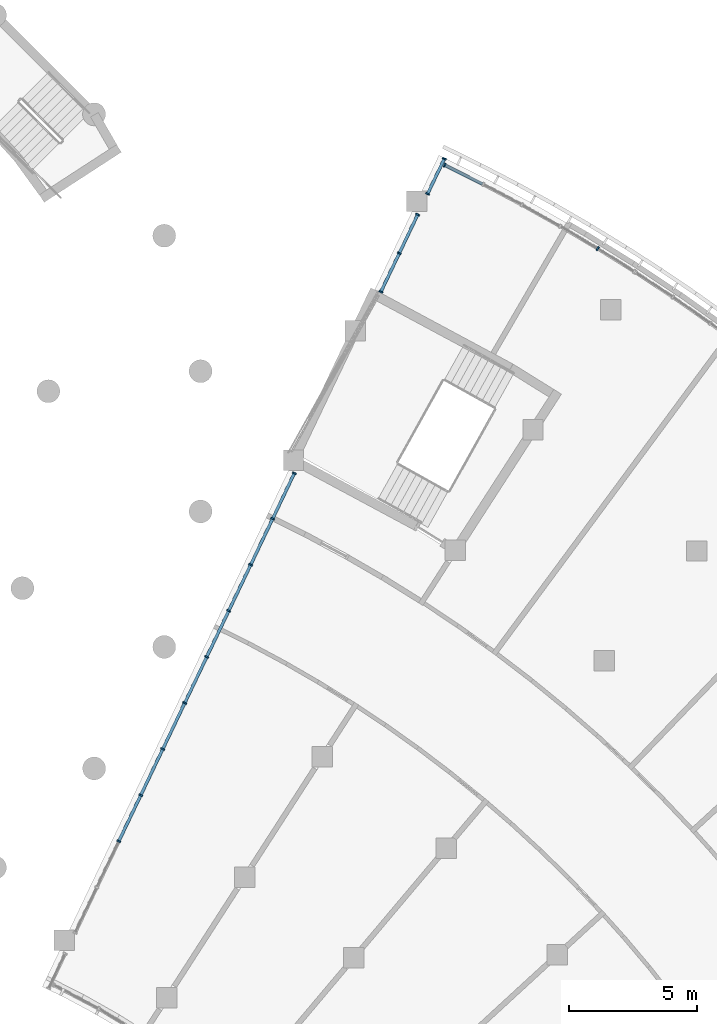
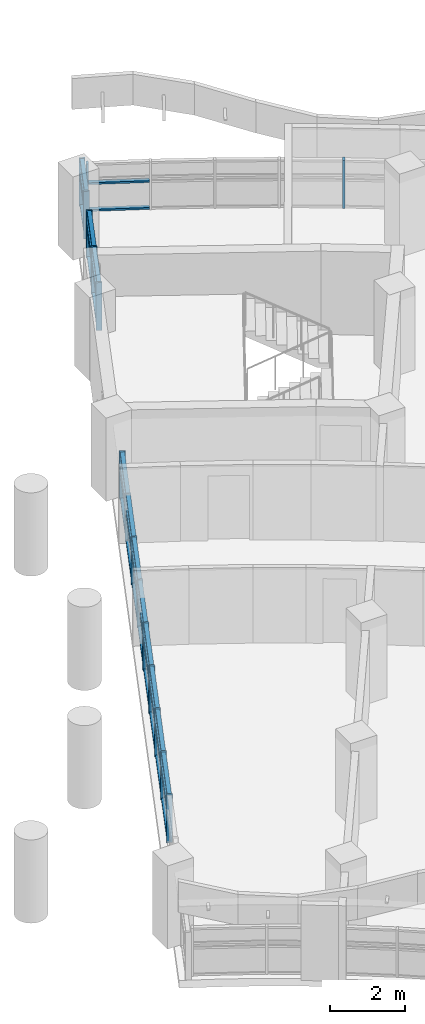
# One storey, part 10 of 89: 62 members, 4 elements without a shape of their own.
"""IFC4 building model written with IfcOpenShell, lengths in metres."""

from ifc_helpers import new_model, si_unit, direction, frame, origin, origin_2d, place, context, subcontext, project, spatial, rectangle, extrude, material, material_profile, profile_set, type_object, element, aggregate, save


model = new_model("IFC4")

# Units and contexts
model_context = context("Model", 3, precision=1e-05, world=origin(), true_north=direction((0.0, 1.0)))
body_context = subcontext(model_context, "Body", "Model", "MODEL_VIEW")
ifc_project = project(units=[si_unit("LENGTHUNIT", "METRE"), si_unit("AREAUNIT", "SQUARE_METRE"), si_unit("VOLUMEUNIT", "CUBIC_METRE"), si_unit("PLANEANGLEUNIT", "RADIAN"), si_unit("MASSUNIT", "GRAM", prefix="KILO")], contexts=[model_context])

# Site, building, storey
site_placement = place(None, origin())
site = spatial("IfcSite", under=ifc_project, at=site_placement, CompositionType="ELEMENT")
building_placement = place(site_placement, origin())
building = spatial("IfcBuilding", under=site, at=building_placement, Name="Bougainvillea Quay General Hospital", CompositionType="ELEMENT")
storey_placement = place(building_placement, frame((0.0, 0.0, 9.89990234375)))
storey = spatial("IfcBuildingStorey", under=building, at=storey_placement, Name="L01M", CompositionType="ELEMENT", Elevation=9.89990234375)

# Curtain wall, members
ifc_material_1 = material(Name="Aluminium curtain wall system, powder-coated glazed", Category="aluminium")
curtain_wall_type_1 = type_object("IfcCurtainWallType", Name="Unitised curtain wall CW-2100", PredefinedType="NOTDEFINED", material=ifc_material_1)
curtain_wall_1_placement = place(storey_placement, origin())
curtain_wall_1 = element("IfcCurtainWall", 1, at=curtain_wall_1_placement, inside=storey, type_object=curtain_wall_type_1, Name="CW-E01 a10b0", PredefinedType="NOTDEFINED")
ifc_material_2 = material(Name="Aluminium mullion, powder-coated charcoal", Category="aluminium")
ifc_material_profile_1 = material_profile(ifc_material_2, rectangle(XDim=0.159912109375, YDim=0.06005859375, at=origin_2d()))
ifc_profile_set_1 = profile_set([ifc_material_profile_1], Name="Aluminium mullion, powder-coated charcoal")
member_type_1 = type_object("IfcMemberType", Name="Curtain wall mullion 160x60", PredefinedType="MULLION", material=ifc_profile_set_1)
member_1_placement = place(storey_placement, frame((139.560791015625, 84.795654296875, 0.0), z_axis=(0.0, 0.0, 1.0), x_axis=(0.445913549593, 0.895076033803, 0.0)))
member_1 = element("IfcMember", 2, at=member_1_placement, type_object=member_type_1, Name="CW-E01 mullion 1", PredefinedType="MULLION", context=body_context, shape_type="SweptSolid", body=[
    extrude(rectangle(XDim=0.159912109375, YDim=0.06005859375, at=origin_2d()), origin(), (0.0, 0.0, 1.0), 1.550048828125),
])
member_2_placement = place(storey_placement, frame((145.546142578125, 81.531982421875, 0.0), z_axis=(0.0, 0.0, 1.0), x_axis=(0.521088427011, 0.853502695505, 0.0)))
member_2 = element("IfcMember", 3, at=member_2_placement, type_object=member_type_1, Name="CW-E01 mullion 5", PredefinedType="MULLION", context=body_context, shape_type="SweptSolid", body=[
    extrude(rectangle(XDim=0.159912109375, YDim=0.06005859375, at=origin_2d()), origin(), (0.0, 0.0, 1.0), 1.550048828125),
])

curtain_wall_type_2 = type_object("IfcCurtainWallType", Name="Unitised curtain wall CW-1580", PredefinedType="NOTDEFINED", material=ifc_material_1)
curtain_wall_2_placement = place(storey_placement, origin())
curtain_wall_2 = element("IfcCurtainWall", 4, at=curtain_wall_2_placement, inside=storey, type_object=curtain_wall_type_2, Name="CW-AE 00", PredefinedType="NOTDEFINED")
member_3_placement = place(storey_placement, frame((139.548828125, 85.04638671875, 0.0), z_axis=(0.0, 0.0, 1.0), x_axis=(0.902578440897, -0.430525444112, 0.0)))
member_3 = element("IfcMember", 5, at=member_3_placement, type_object=member_type_1, Name="CW-AE mullion 1", PredefinedType="MULLION", context=body_context, shape_type="SweptSolid", body=[
    extrude(rectangle(XDim=0.159912109375, YDim=0.06005859375, at=origin_2d()), origin(), (0.0, 0.0, 1.0), 1.550048828125),
])
member_4_placement = place(storey_placement, frame((138.894287109375, 83.674560546875, 0.0), z_axis=(0.0, 0.0, 1.0), x_axis=(0.902578440897, -0.430525444112, 0.0)))
member_4 = element("IfcMember", 6, at=member_4_placement, type_object=member_type_1, Name="CW-AE mullion 2", PredefinedType="MULLION", context=body_context, shape_type="SweptSolid", body=[
    extrude(rectangle(XDim=0.159912109375, YDim=0.06005859375, at=origin_2d()), origin(), (0.0, 0.0, 1.0), 1.550048828125),
])

curtain_wall_type_3 = type_object("IfcCurtainWallType", Name="Unitised curtain wall CW-1703", PredefinedType="NOTDEFINED", material=ifc_material_1)
curtain_wall_3_placement = place(storey_placement, origin())
curtain_wall_3 = element("IfcCurtainWall", 7, at=curtain_wall_3_placement, inside=storey, type_object=curtain_wall_type_3, Name="CW-AE 01", PredefinedType="NOTDEFINED")
member_5_placement = place(storey_placement, frame((138.5068359375, 82.8623046875, 0.0), z_axis=(0.0, 0.0, 1.0), x_axis=(0.902578440897, -0.430525444112, 0.0)))
member_5 = element("IfcMember", 8, at=member_5_placement, type_object=member_type_1, Name="CW-AE mullion 1", PredefinedType="MULLION", context=body_context, shape_type="SweptSolid", body=[
    extrude(rectangle(XDim=0.159912109375, YDim=0.06005859375, at=origin_2d()), origin(), (0.0, 0.0, 1.0), 1.550048828125),
])
member_6_placement = place(storey_placement, frame((137.786865234375, 81.352294921875, 0.0), z_axis=(0.0, 0.0, 1.0), x_axis=(0.902578440897, -0.430525444112, 0.0)))
member_6 = element("IfcMember", 9, at=member_6_placement, type_object=member_type_1, Name="CW-AE mullion 2", PredefinedType="MULLION", context=body_context, shape_type="SweptSolid", body=[
    extrude(rectangle(XDim=0.159912109375, YDim=0.06005859375, at=origin_2d()), origin(), (0.0, 0.0, 1.0), 1.550048828125),
])
member_7_placement = place(storey_placement, frame((137.066650390625, 79.842529296875, 0.0), z_axis=(0.0, 0.0, 1.0), x_axis=(0.902578440897, -0.430525444112, 0.0)))
member_7 = element("IfcMember", 10, at=member_7_placement, type_object=member_type_1, Name="CW-AE mullion 3", PredefinedType="MULLION", context=body_context, shape_type="SweptSolid", body=[
    extrude(rectangle(XDim=0.159912109375, YDim=0.06005859375, at=origin_2d()), origin(), (0.0, 0.0, 1.0), 1.550048828125),
])

curtain_wall_type_4 = type_object("IfcCurtainWallType", Name="Unitised curtain wall CW-1997", PredefinedType="NOTDEFINED", material=ifc_material_1)
curtain_wall_4_placement = place(storey_placement, origin())
curtain_wall_4 = element("IfcCurtainWall", 11, at=curtain_wall_4_placement, inside=storey, type_object=curtain_wall_type_4, Name="CW-AE 02", PredefinedType="NOTDEFINED")
member_8_placement = place(storey_placement, frame((133.68505859375, 72.753173828125, 0.0), z_axis=(0.0, 0.0, 1.0), x_axis=(0.902578440897, -0.430525444112, 0.0)))
member_8 = element("IfcMember", 12, at=member_8_placement, type_object=member_type_1, Name="CW-AE mullion 1", PredefinedType="MULLION", context=body_context, shape_type="SweptSolid", body=[
    extrude(rectangle(XDim=0.159912109375, YDim=0.06005859375, at=origin_2d()), origin(), (0.0, 0.0, 1.0), 1.550048828125),
])
member_9_placement = place(storey_placement, frame((132.838623046875, 70.978759765625, 0.0), z_axis=(0.0, 0.0, 1.0), x_axis=(0.902578440897, -0.430525444112, 0.0)))
member_9 = element("IfcMember", 13, at=member_9_placement, type_object=member_type_1, Name="CW-AE mullion 2", PredefinedType="MULLION", context=body_context, shape_type="SweptSolid", body=[
    extrude(rectangle(XDim=0.159912109375, YDim=0.06005859375, at=origin_2d()), origin(), (0.0, 0.0, 1.0), 1.550048828125),
])
member_10_placement = place(storey_placement, frame((131.979248046875, 69.177001953125, 0.0), z_axis=(0.0, 0.0, 1.0), x_axis=(0.902578440897, -0.430525444112, 0.0)))
member_10 = element("IfcMember", 14, at=member_10_placement, type_object=member_type_1, Name="CW-AE mullion 3", PredefinedType="MULLION", context=body_context, shape_type="SweptSolid", body=[
    extrude(rectangle(XDim=0.159912109375, YDim=0.06005859375, at=origin_2d()), origin(), (0.0, 0.0, 1.0), 1.550048828125),
])
member_11_placement = place(storey_placement, frame((131.119873046875, 67.37548828125, 0.0), z_axis=(0.0, 0.0, 1.0), x_axis=(0.902578440897, -0.430525444112, 0.0)))
member_11 = element("IfcMember", 15, at=member_11_placement, type_object=member_type_1, Name="CW-AE mullion 4", PredefinedType="MULLION", context=body_context, shape_type="SweptSolid", body=[
    extrude(rectangle(XDim=0.159912109375, YDim=0.06005859375, at=origin_2d()), origin(), (0.0, 0.0, 1.0), 1.550048828125),
])
member_12_placement = place(storey_placement, frame((130.260498046875, 65.573974609375, 0.0), z_axis=(0.0, 0.0, 1.0), x_axis=(0.902578440897, -0.430525444112, 0.0)))
member_12 = element("IfcMember", 16, at=member_12_placement, type_object=member_type_1, Name="CW-AE mullion 5", PredefinedType="MULLION", context=body_context, shape_type="SweptSolid", body=[
    extrude(rectangle(XDim=0.159912109375, YDim=0.06005859375, at=origin_2d()), origin(), (0.0, 0.0, 1.0), 1.550048828125),
])
member_13_placement = place(storey_placement, frame((129.401123046875, 63.7724609375, 0.0), z_axis=(0.0, 0.0, 1.0), x_axis=(0.902578440897, -0.430525444112, 0.0)))
member_13 = element("IfcMember", 17, at=member_13_placement, type_object=member_type_1, Name="CW-AE mullion 6", PredefinedType="MULLION", context=body_context, shape_type="SweptSolid", body=[
    extrude(rectangle(XDim=0.159912109375, YDim=0.06005859375, at=origin_2d()), origin(), (0.0, 0.0, 1.0), 1.550048828125),
])
member_14_placement = place(storey_placement, frame((128.541748046875, 61.970703125, 0.0), z_axis=(0.0, 0.0, 1.0), x_axis=(0.902578440897, -0.430525444112, 0.0)))
member_14 = element("IfcMember", 18, at=member_14_placement, type_object=member_type_1, Name="CW-AE mullion 7", PredefinedType="MULLION", context=body_context, shape_type="SweptSolid", body=[
    extrude(rectangle(XDim=0.159912109375, YDim=0.06005859375, at=origin_2d()), origin(), (0.0, 0.0, 1.0), 1.550048828125),
])
member_15_placement = place(storey_placement, frame((127.682373046875, 60.169189453125, 0.0), z_axis=(0.0, 0.0, 1.0), x_axis=(0.902578440897, -0.430525444112, 0.0)))
member_15 = element("IfcMember", 19, at=member_15_placement, type_object=member_type_1, Name="CW-AE mullion 8", PredefinedType="MULLION", context=body_context, shape_type="SweptSolid", body=[
    extrude(rectangle(XDim=0.159912109375, YDim=0.06005859375, at=origin_2d()), origin(), (0.0, 0.0, 1.0), 1.550048828125),
])
member_16_placement = place(storey_placement, frame((126.8232421875, 58.36767578125, 0.0), z_axis=(0.0, 0.0, 1.0), x_axis=(0.902578440897, -0.430525444112, 0.0)))
member_16 = element("IfcMember", 20, at=member_16_placement, type_object=member_type_1, Name="CW-AE mullion 9", PredefinedType="MULLION", context=body_context, shape_type="SweptSolid", body=[
    extrude(rectangle(XDim=0.159912109375, YDim=0.06005859375, at=origin_2d()), origin(), (0.0, 0.0, 1.0), 1.550048828125),
])

# Member
ifc_material_3 = material(Name="Aluminium transom, powder-coated charcoal", Category="aluminium")
ifc_material_profile_2 = material_profile(ifc_material_3, rectangle(XDim=0.1201171875, YDim=0.06005859375, at=origin_2d()))
ifc_profile_set_2 = profile_set([ifc_material_profile_2], Name="Aluminium transom, powder-coated charcoal")
member_type_2 = type_object("IfcMemberType", Name="Curtain wall transom 120x60", PredefinedType="USERDEFINED", material=ifc_profile_set_2)
member_17_placement = place(storey_placement, frame((139.587646484375, 84.7822265625, 0.030029296875), z_axis=(0.895028282909, -0.44600938644, 0.0), x_axis=(0.44600938644, 0.895028282909, 0.0)))
member_17 = element("IfcMember", 21, at=member_17_placement, type_object=member_type_2, Name="CW-E01 transom 1.1", ObjectType="TRANSOM", PredefinedType="USERDEFINED", context=body_context, shape_type="SweptSolid", body=[
    extrude(rectangle(XDim=0.1201171875, YDim=0.06005859375, at=origin_2d()), origin(), (0.0, 0.0, 1.0), 1.62255859375),
])

member_18_placement = place(storey_placement, frame((139.587646484375, 84.7822265625, 0.900146484375), z_axis=(0.895028282909, -0.44600938644, 0.0), x_axis=(0.44600938644, 0.895028282909, 0.0)))
member_18 = element("IfcMember", 22, at=member_18_placement, type_object=member_type_2, Name="CW-E01 transom 1.2", ObjectType="TRANSOM", PredefinedType="USERDEFINED", context=body_context, shape_type="SweptSolid", body=[
    extrude(rectangle(XDim=0.1201171875, YDim=0.06005859375, at=origin_2d()), origin(), (0.0, 0.0, 1.0), 1.62255859375),
])

aggregate(curtain_wall_1, [member_1, member_2, member_17, member_18])

member_19_placement = place(storey_placement, frame((139.535888671875, 85.019287109375, 0.030029296875), z_axis=(-0.430615048018, -0.902535694818, 0.0), x_axis=(0.902535694818, -0.430615048018, 0.0)))
member_19 = element("IfcMember", 23, at=member_19_placement, type_object=member_type_2, Name="CW-AE transom 1.1", ObjectType="TRANSOM", PredefinedType="USERDEFINED", context=body_context, shape_type="SweptSolid", body=[
    extrude(rectangle(XDim=0.1201171875, YDim=0.06005859375, at=origin_2d()), origin(), (0.0, 0.0, 1.0), 1.4599609375),
])

member_20_placement = place(storey_placement, frame((139.535888671875, 85.019287109375, 0.900146484375), z_axis=(-0.430615048018, -0.902535694818, 0.0), x_axis=(0.902535694818, -0.430615048018, 0.0)))
member_20 = element("IfcMember", 24, at=member_20_placement, type_object=member_type_2, Name="CW-AE transom 1.2", ObjectType="TRANSOM", PredefinedType="USERDEFINED", context=body_context, shape_type="SweptSolid", body=[
    extrude(rectangle(XDim=0.1201171875, YDim=0.06005859375, at=origin_2d()), origin(), (0.0, 0.0, 1.0), 1.4599609375),
])

member_21_placement = place(storey_placement, frame((139.535888671875, 85.019287109375, 1.050048828125), z_axis=(-0.430615048018, -0.902535694818, 0.0), x_axis=(0.902535694818, -0.430615048018, 0.0)))
member_21 = element("IfcMember", 25, at=member_21_placement, type_object=member_type_2, Name="CW-AE transom 1.3", ObjectType="TRANSOM", PredefinedType="USERDEFINED", context=body_context, shape_type="SweptSolid", body=[
    extrude(rectangle(XDim=0.1201171875, YDim=0.06005859375, at=origin_2d()), origin(), (0.0, 0.0, 1.0), 1.4599609375),
])

member_22_placement = place(storey_placement, frame((139.535888671875, 85.019287109375, 1.52001953125), z_axis=(-0.430615048018, -0.902535694818, 0.0), x_axis=(0.902535694818, -0.430615048018, 0.0)))
member_22 = element("IfcMember", 26, at=member_22_placement, type_object=member_type_2, Name="CW-AE transom 1.4", ObjectType="TRANSOM", PredefinedType="USERDEFINED", context=body_context, shape_type="SweptSolid", body=[
    extrude(rectangle(XDim=0.1201171875, YDim=0.06005859375, at=origin_2d()), origin(), (0.0, 0.0, 1.0), 1.4599609375),
])

aggregate(curtain_wall_2, [member_3, member_4, member_19, member_20, member_21, member_22])

member_23_placement = place(storey_placement, frame((138.493896484375, 82.835205078125, 0.030029296875), z_axis=(-0.430485805142, -0.902597347421, 0.0), x_axis=(0.902597347421, -0.430485805142, 0.0)))
member_23 = element("IfcMember", 27, at=member_23_placement, type_object=member_type_2, Name="CW-AE transom 1.1", ObjectType="TRANSOM", PredefinedType="USERDEFINED", context=body_context, shape_type="SweptSolid", body=[
    extrude(rectangle(XDim=0.1201171875, YDim=0.06005859375, at=origin_2d()), origin(), (0.0, 0.0, 1.0), 1.61279296875),
])

member_24_placement = place(storey_placement, frame((138.493896484375, 82.835205078125, 0.900146484375), z_axis=(-0.430485805142, -0.902597347421, 0.0), x_axis=(0.902597347421, -0.430485805142, 0.0)))
member_24 = element("IfcMember", 28, at=member_24_placement, type_object=member_type_2, Name="CW-AE transom 1.2", ObjectType="TRANSOM", PredefinedType="USERDEFINED", context=body_context, shape_type="SweptSolid", body=[
    extrude(rectangle(XDim=0.1201171875, YDim=0.06005859375, at=origin_2d()), origin(), (0.0, 0.0, 1.0), 1.61279296875),
])

member_25_placement = place(storey_placement, frame((138.493896484375, 82.835205078125, 1.050048828125), z_axis=(-0.430485805142, -0.902597347421, 0.0), x_axis=(0.902597347421, -0.430485805142, 0.0)))
member_25 = element("IfcMember", 29, at=member_25_placement, type_object=member_type_2, Name="CW-AE transom 1.3", ObjectType="TRANSOM", PredefinedType="USERDEFINED", context=body_context, shape_type="SweptSolid", body=[
    extrude(rectangle(XDim=0.1201171875, YDim=0.06005859375, at=origin_2d()), origin(), (0.0, 0.0, 1.0), 1.61279296875),
])

member_26_placement = place(storey_placement, frame((138.493896484375, 82.835205078125, 1.52001953125), z_axis=(-0.430485805142, -0.902597347421, 0.0), x_axis=(0.902597347421, -0.430485805142, 0.0)))
member_26 = element("IfcMember", 30, at=member_26_placement, type_object=member_type_2, Name="CW-AE transom 1.4", ObjectType="TRANSOM", PredefinedType="USERDEFINED", context=body_context, shape_type="SweptSolid", body=[
    extrude(rectangle(XDim=0.1201171875, YDim=0.06005859375, at=origin_2d()), origin(), (0.0, 0.0, 1.0), 1.61279296875),
])

member_27_placement = place(storey_placement, frame((137.77392578125, 81.3251953125, 0.030029296875), z_axis=(-0.430544626456, -0.902569290764, 0.0), x_axis=(0.902569290764, -0.430544626456, 0.0)))
member_27 = element("IfcMember", 31, at=member_27_placement, type_object=member_type_2, Name="CW-AE transom 2.1", ObjectType="TRANSOM", PredefinedType="USERDEFINED", context=body_context, shape_type="SweptSolid", body=[
    extrude(rectangle(XDim=0.1201171875, YDim=0.06005859375, at=origin_2d()), origin(), (0.0, 0.0, 1.0), 1.61279296875),
])

member_28_placement = place(storey_placement, frame((137.77392578125, 81.3251953125, 0.900146484375), z_axis=(-0.430544626456, -0.902569290764, 0.0), x_axis=(0.902569290764, -0.430544626456, 0.0)))
member_28 = element("IfcMember", 32, at=member_28_placement, type_object=member_type_2, Name="CW-AE transom 2.2", ObjectType="TRANSOM", PredefinedType="USERDEFINED", context=body_context, shape_type="SweptSolid", body=[
    extrude(rectangle(XDim=0.1201171875, YDim=0.06005859375, at=origin_2d()), origin(), (0.0, 0.0, 1.0), 1.61279296875),
])

member_29_placement = place(storey_placement, frame((137.77392578125, 81.3251953125, 1.050048828125), z_axis=(-0.430544626456, -0.902569290764, 0.0), x_axis=(0.902569290764, -0.430544626456, 0.0)))
member_29 = element("IfcMember", 33, at=member_29_placement, type_object=member_type_2, Name="CW-AE transom 2.3", ObjectType="TRANSOM", PredefinedType="USERDEFINED", context=body_context, shape_type="SweptSolid", body=[
    extrude(rectangle(XDim=0.1201171875, YDim=0.06005859375, at=origin_2d()), origin(), (0.0, 0.0, 1.0), 1.61279296875),
])

member_30_placement = place(storey_placement, frame((137.77392578125, 81.3251953125, 1.52001953125), z_axis=(-0.430544626456, -0.902569290764, 0.0), x_axis=(0.902569290764, -0.430544626456, 0.0)))
member_30 = element("IfcMember", 34, at=member_30_placement, type_object=member_type_2, Name="CW-AE transom 2.4", ObjectType="TRANSOM", PredefinedType="USERDEFINED", context=body_context, shape_type="SweptSolid", body=[
    extrude(rectangle(XDim=0.1201171875, YDim=0.06005859375, at=origin_2d()), origin(), (0.0, 0.0, 1.0), 1.61279296875),
])

aggregate(curtain_wall_3, [member_5, member_6, member_7, member_23, member_24, member_25, member_26, member_27, member_28, member_29, member_30])

member_31_placement = place(storey_placement, frame((133.672119140625, 72.72607421875, 0.030029296875), z_axis=(-0.430535139878, -0.902573816001, 0.0), x_axis=(0.902573816001, -0.430535139878, 0.0)))
member_31 = element("IfcMember", 35, at=member_31_placement, type_object=member_type_2, Name="CW-AE transom 1.1", ObjectType="TRANSOM", PredefinedType="USERDEFINED", context=body_context, shape_type="SweptSolid", body=[
    extrude(rectangle(XDim=0.1201171875, YDim=0.06005859375, at=origin_2d()), origin(), (0.0, 0.0, 1.0), 1.906005859375),
])

member_32_placement = place(storey_placement, frame((133.672119140625, 72.72607421875, 0.900146484375), z_axis=(-0.430535139878, -0.902573816001, 0.0), x_axis=(0.902573816001, -0.430535139878, 0.0)))
member_32 = element("IfcMember", 36, at=member_32_placement, type_object=member_type_2, Name="CW-AE transom 1.2", ObjectType="TRANSOM", PredefinedType="USERDEFINED", context=body_context, shape_type="SweptSolid", body=[
    extrude(rectangle(XDim=0.1201171875, YDim=0.06005859375, at=origin_2d()), origin(), (0.0, 0.0, 1.0), 1.906005859375),
])

member_33_placement = place(storey_placement, frame((133.672119140625, 72.72607421875, 1.050048828125), z_axis=(-0.430535139878, -0.902573816001, 0.0), x_axis=(0.902573816001, -0.430535139878, 0.0)))
member_33 = element("IfcMember", 37, at=member_33_placement, type_object=member_type_2, Name="CW-AE transom 1.3", ObjectType="TRANSOM", PredefinedType="USERDEFINED", context=body_context, shape_type="SweptSolid", body=[
    extrude(rectangle(XDim=0.1201171875, YDim=0.06005859375, at=origin_2d()), origin(), (0.0, 0.0, 1.0), 1.906005859375),
])

member_34_placement = place(storey_placement, frame((133.672119140625, 72.72607421875, 1.52001953125), z_axis=(-0.430535139878, -0.902573816001, 0.0), x_axis=(0.902573816001, -0.430535139878, 0.0)))
member_34 = element("IfcMember", 38, at=member_34_placement, type_object=member_type_2, Name="CW-AE transom 1.4", ObjectType="TRANSOM", PredefinedType="USERDEFINED", context=body_context, shape_type="SweptSolid", body=[
    extrude(rectangle(XDim=0.1201171875, YDim=0.06005859375, at=origin_2d()), origin(), (0.0, 0.0, 1.0), 1.906005859375),
])

member_35_placement = place(storey_placement, frame((132.82568359375, 70.95166015625, 0.030029296875), z_axis=(-0.430491490236, -0.902594635944, 0.0), x_axis=(0.902594635944, -0.430491490236, 0.0)))
member_35 = element("IfcMember", 39, at=member_35_placement, type_object=member_type_2, Name="CW-AE transom 2.1", ObjectType="TRANSOM", PredefinedType="USERDEFINED", context=body_context, shape_type="SweptSolid", body=[
    extrude(rectangle(XDim=0.1201171875, YDim=0.06005859375, at=origin_2d()), origin(), (0.0, 0.0, 1.0), 1.93603515625),
])

member_36_placement = place(storey_placement, frame((132.82568359375, 70.95166015625, 0.900146484375), z_axis=(-0.430491490236, -0.902594635944, 0.0), x_axis=(0.902594635944, -0.430491490236, 0.0)))
member_36 = element("IfcMember", 40, at=member_36_placement, type_object=member_type_2, Name="CW-AE transom 2.2", ObjectType="TRANSOM", PredefinedType="USERDEFINED", context=body_context, shape_type="SweptSolid", body=[
    extrude(rectangle(XDim=0.1201171875, YDim=0.06005859375, at=origin_2d()), origin(), (0.0, 0.0, 1.0), 1.93603515625),
])

member_37_placement = place(storey_placement, frame((132.82568359375, 70.95166015625, 1.050048828125), z_axis=(-0.430491490236, -0.902594635944, 0.0), x_axis=(0.902594635944, -0.430491490236, 0.0)))
member_37 = element("IfcMember", 41, at=member_37_placement, type_object=member_type_2, Name="CW-AE transom 2.3", ObjectType="TRANSOM", PredefinedType="USERDEFINED", context=body_context, shape_type="SweptSolid", body=[
    extrude(rectangle(XDim=0.1201171875, YDim=0.06005859375, at=origin_2d()), origin(), (0.0, 0.0, 1.0), 1.93603515625),
])

member_38_placement = place(storey_placement, frame((132.82568359375, 70.95166015625, 1.52001953125), z_axis=(-0.430491490236, -0.902594635944, 0.0), x_axis=(0.902594635944, -0.430491490236, 0.0)))
member_38 = element("IfcMember", 42, at=member_38_placement, type_object=member_type_2, Name="CW-AE transom 2.4", ObjectType="TRANSOM", PredefinedType="USERDEFINED", context=body_context, shape_type="SweptSolid", body=[
    extrude(rectangle(XDim=0.1201171875, YDim=0.06005859375, at=origin_2d()), origin(), (0.0, 0.0, 1.0), 1.93603515625),
])

member_39_placement = place(storey_placement, frame((131.96630859375, 69.14990234375, 0.030029296875), z_axis=(-0.430540490925, -0.902571263488, 0.0), x_axis=(0.902571263488, -0.430540490925, 0.0)))
member_39 = element("IfcMember", 43, at=member_39_placement, type_object=member_type_2, Name="CW-AE transom 3.1", ObjectType="TRANSOM", PredefinedType="USERDEFINED", context=body_context, shape_type="SweptSolid", body=[
    extrude(rectangle(XDim=0.1201171875, YDim=0.06005859375, at=origin_2d()), origin(), (0.0, 0.0, 1.0), 1.93603515625),
])

member_40_placement = place(storey_placement, frame((131.96630859375, 69.14990234375, 0.900146484375), z_axis=(-0.430540490925, -0.902571263488, 0.0), x_axis=(0.902571263488, -0.430540490925, 0.0)))
member_40 = element("IfcMember", 44, at=member_40_placement, type_object=member_type_2, Name="CW-AE transom 3.2", ObjectType="TRANSOM", PredefinedType="USERDEFINED", context=body_context, shape_type="SweptSolid", body=[
    extrude(rectangle(XDim=0.1201171875, YDim=0.06005859375, at=origin_2d()), origin(), (0.0, 0.0, 1.0), 1.93603515625),
])

member_41_placement = place(storey_placement, frame((131.96630859375, 69.14990234375, 1.050048828125), z_axis=(-0.430540490925, -0.902571263488, 0.0), x_axis=(0.902571263488, -0.430540490925, 0.0)))
member_41 = element("IfcMember", 45, at=member_41_placement, type_object=member_type_2, Name="CW-AE transom 3.3", ObjectType="TRANSOM", PredefinedType="USERDEFINED", context=body_context, shape_type="SweptSolid", body=[
    extrude(rectangle(XDim=0.1201171875, YDim=0.06005859375, at=origin_2d()), origin(), (0.0, 0.0, 1.0), 1.93603515625),
])

member_42_placement = place(storey_placement, frame((131.96630859375, 69.14990234375, 1.52001953125), z_axis=(-0.430540490925, -0.902571263488, 0.0), x_axis=(0.902571263488, -0.430540490925, 0.0)))
member_42 = element("IfcMember", 46, at=member_42_placement, type_object=member_type_2, Name="CW-AE transom 3.4", ObjectType="TRANSOM", PredefinedType="USERDEFINED", context=body_context, shape_type="SweptSolid", body=[
    extrude(rectangle(XDim=0.1201171875, YDim=0.06005859375, at=origin_2d()), origin(), (0.0, 0.0, 1.0), 1.93603515625),
])

member_43_placement = place(storey_placement, frame((131.10693359375, 67.348388671875, 0.030029296875), z_axis=(-0.430540490925, -0.902571263488, 0.0), x_axis=(0.902571263488, -0.430540490925, 0.0)))
member_43 = element("IfcMember", 47, at=member_43_placement, type_object=member_type_2, Name="CW-AE transom 4.1", ObjectType="TRANSOM", PredefinedType="USERDEFINED", context=body_context, shape_type="SweptSolid", body=[
    extrude(rectangle(XDim=0.1201171875, YDim=0.06005859375, at=origin_2d()), origin(), (0.0, 0.0, 1.0), 1.93603515625),
])

member_44_placement = place(storey_placement, frame((131.10693359375, 67.348388671875, 0.900146484375), z_axis=(-0.430540490925, -0.902571263488, 0.0), x_axis=(0.902571263488, -0.430540490925, 0.0)))
member_44 = element("IfcMember", 48, at=member_44_placement, type_object=member_type_2, Name="CW-AE transom 4.2", ObjectType="TRANSOM", PredefinedType="USERDEFINED", context=body_context, shape_type="SweptSolid", body=[
    extrude(rectangle(XDim=0.1201171875, YDim=0.06005859375, at=origin_2d()), origin(), (0.0, 0.0, 1.0), 1.93603515625),
])

member_45_placement = place(storey_placement, frame((131.10693359375, 67.348388671875, 1.050048828125), z_axis=(-0.430540490925, -0.902571263488, 0.0), x_axis=(0.902571263488, -0.430540490925, 0.0)))
member_45 = element("IfcMember", 49, at=member_45_placement, type_object=member_type_2, Name="CW-AE transom 4.3", ObjectType="TRANSOM", PredefinedType="USERDEFINED", context=body_context, shape_type="SweptSolid", body=[
    extrude(rectangle(XDim=0.1201171875, YDim=0.06005859375, at=origin_2d()), origin(), (0.0, 0.0, 1.0), 1.93603515625),
])

member_46_placement = place(storey_placement, frame((131.10693359375, 67.348388671875, 1.52001953125), z_axis=(-0.430540490925, -0.902571263488, 0.0), x_axis=(0.902571263488, -0.430540490925, 0.0)))
member_46 = element("IfcMember", 50, at=member_46_placement, type_object=member_type_2, Name="CW-AE transom 4.4", ObjectType="TRANSOM", PredefinedType="USERDEFINED", context=body_context, shape_type="SweptSolid", body=[
    extrude(rectangle(XDim=0.1201171875, YDim=0.06005859375, at=origin_2d()), origin(), (0.0, 0.0, 1.0), 1.93603515625),
])

member_47_placement = place(storey_placement, frame((130.24755859375, 65.546875, 0.030029296875), z_axis=(-0.430491490236, -0.902594635944, 0.0), x_axis=(0.902594635944, -0.430491490236, 0.0)))
member_47 = element("IfcMember", 51, at=member_47_placement, type_object=member_type_2, Name="CW-AE transom 5.1", ObjectType="TRANSOM", PredefinedType="USERDEFINED", context=body_context, shape_type="SweptSolid", body=[
    extrude(rectangle(XDim=0.1201171875, YDim=0.06005859375, at=origin_2d()), origin(), (0.0, 0.0, 1.0), 1.93603515625),
])

member_48_placement = place(storey_placement, frame((130.24755859375, 65.546875, 0.900146484375), z_axis=(-0.430491490236, -0.902594635944, 0.0), x_axis=(0.902594635944, -0.430491490236, 0.0)))
member_48 = element("IfcMember", 52, at=member_48_placement, type_object=member_type_2, Name="CW-AE transom 5.2", ObjectType="TRANSOM", PredefinedType="USERDEFINED", context=body_context, shape_type="SweptSolid", body=[
    extrude(rectangle(XDim=0.1201171875, YDim=0.06005859375, at=origin_2d()), origin(), (0.0, 0.0, 1.0), 1.93603515625),
])

member_49_placement = place(storey_placement, frame((130.24755859375, 65.546875, 1.050048828125), z_axis=(-0.430491490236, -0.902594635944, 0.0), x_axis=(0.902594635944, -0.430491490236, 0.0)))
member_49 = element("IfcMember", 53, at=member_49_placement, type_object=member_type_2, Name="CW-AE transom 5.3", ObjectType="TRANSOM", PredefinedType="USERDEFINED", context=body_context, shape_type="SweptSolid", body=[
    extrude(rectangle(XDim=0.1201171875, YDim=0.06005859375, at=origin_2d()), origin(), (0.0, 0.0, 1.0), 1.93603515625),
])

member_50_placement = place(storey_placement, frame((130.24755859375, 65.546875, 1.52001953125), z_axis=(-0.430491490236, -0.902594635944, 0.0), x_axis=(0.902594635944, -0.430491490236, 0.0)))
member_50 = element("IfcMember", 54, at=member_50_placement, type_object=member_type_2, Name="CW-AE transom 5.4", ObjectType="TRANSOM", PredefinedType="USERDEFINED", context=body_context, shape_type="SweptSolid", body=[
    extrude(rectangle(XDim=0.1201171875, YDim=0.06005859375, at=origin_2d()), origin(), (0.0, 0.0, 1.0), 1.93603515625),
])

member_51_placement = place(storey_placement, frame((129.38818359375, 63.745361328125, 0.030029296875), z_axis=(-0.430491490236, -0.902594635944, 0.0), x_axis=(0.902594635944, -0.430491490236, 0.0)))
member_51 = element("IfcMember", 55, at=member_51_placement, type_object=member_type_2, Name="CW-AE transom 6.1", ObjectType="TRANSOM", PredefinedType="USERDEFINED", context=body_context, shape_type="SweptSolid", body=[
    extrude(rectangle(XDim=0.1201171875, YDim=0.06005859375, at=origin_2d()), origin(), (0.0, 0.0, 1.0), 1.93603515625),
])

member_52_placement = place(storey_placement, frame((129.38818359375, 63.745361328125, 0.900146484375), z_axis=(-0.430491490236, -0.902594635944, 0.0), x_axis=(0.902594635944, -0.430491490236, 0.0)))
member_52 = element("IfcMember", 56, at=member_52_placement, type_object=member_type_2, Name="CW-AE transom 6.2", ObjectType="TRANSOM", PredefinedType="USERDEFINED", context=body_context, shape_type="SweptSolid", body=[
    extrude(rectangle(XDim=0.1201171875, YDim=0.06005859375, at=origin_2d()), origin(), (0.0, 0.0, 1.0), 1.93603515625),
])

member_53_placement = place(storey_placement, frame((129.38818359375, 63.745361328125, 1.050048828125), z_axis=(-0.430491490236, -0.902594635944, 0.0), x_axis=(0.902594635944, -0.430491490236, 0.0)))
member_53 = element("IfcMember", 57, at=member_53_placement, type_object=member_type_2, Name="CW-AE transom 6.3", ObjectType="TRANSOM", PredefinedType="USERDEFINED", context=body_context, shape_type="SweptSolid", body=[
    extrude(rectangle(XDim=0.1201171875, YDim=0.06005859375, at=origin_2d()), origin(), (0.0, 0.0, 1.0), 1.93603515625),
])

member_54_placement = place(storey_placement, frame((129.38818359375, 63.745361328125, 1.52001953125), z_axis=(-0.430491490236, -0.902594635944, 0.0), x_axis=(0.902594635944, -0.430491490236, 0.0)))
member_54 = element("IfcMember", 58, at=member_54_placement, type_object=member_type_2, Name="CW-AE transom 6.4", ObjectType="TRANSOM", PredefinedType="USERDEFINED", context=body_context, shape_type="SweptSolid", body=[
    extrude(rectangle(XDim=0.1201171875, YDim=0.06005859375, at=origin_2d()), origin(), (0.0, 0.0, 1.0), 1.93603515625),
])

member_55_placement = place(storey_placement, frame((128.52880859375, 61.943603515625, 0.030029296875), z_axis=(-0.430540490925, -0.902571263488, 0.0), x_axis=(0.902571263488, -0.430540490925, 0.0)))
member_55 = element("IfcMember", 59, at=member_55_placement, type_object=member_type_2, Name="CW-AE transom 7.1", ObjectType="TRANSOM", PredefinedType="USERDEFINED", context=body_context, shape_type="SweptSolid", body=[
    extrude(rectangle(XDim=0.1201171875, YDim=0.06005859375, at=origin_2d()), origin(), (0.0, 0.0, 1.0), 1.93603515625),
])

member_56_placement = place(storey_placement, frame((128.52880859375, 61.943603515625, 0.900146484375), z_axis=(-0.430540490925, -0.902571263488, 0.0), x_axis=(0.902571263488, -0.430540490925, 0.0)))
member_56 = element("IfcMember", 60, at=member_56_placement, type_object=member_type_2, Name="CW-AE transom 7.2", ObjectType="TRANSOM", PredefinedType="USERDEFINED", context=body_context, shape_type="SweptSolid", body=[
    extrude(rectangle(XDim=0.1201171875, YDim=0.06005859375, at=origin_2d()), origin(), (0.0, 0.0, 1.0), 1.93603515625),
])

member_57_placement = place(storey_placement, frame((128.52880859375, 61.943603515625, 1.050048828125), z_axis=(-0.430540490925, -0.902571263488, 0.0), x_axis=(0.902571263488, -0.430540490925, 0.0)))
member_57 = element("IfcMember", 61, at=member_57_placement, type_object=member_type_2, Name="CW-AE transom 7.3", ObjectType="TRANSOM", PredefinedType="USERDEFINED", context=body_context, shape_type="SweptSolid", body=[
    extrude(rectangle(XDim=0.1201171875, YDim=0.06005859375, at=origin_2d()), origin(), (0.0, 0.0, 1.0), 1.93603515625),
])

member_58_placement = place(storey_placement, frame((128.52880859375, 61.943603515625, 1.52001953125), z_axis=(-0.430540490925, -0.902571263488, 0.0), x_axis=(0.902571263488, -0.430540490925, 0.0)))
member_58 = element("IfcMember", 62, at=member_58_placement, type_object=member_type_2, Name="CW-AE transom 7.4", ObjectType="TRANSOM", PredefinedType="USERDEFINED", context=body_context, shape_type="SweptSolid", body=[
    extrude(rectangle(XDim=0.1201171875, YDim=0.06005859375, at=origin_2d()), origin(), (0.0, 0.0, 1.0), 1.93603515625),
])

member_59_placement = place(storey_placement, frame((127.669677734375, 60.14208984375, 0.030029296875), z_axis=(-0.43064321639, -0.902522254671, 0.0), x_axis=(0.902522254671, -0.43064321639, 0.0)))
member_59 = element("IfcMember", 63, at=member_59_placement, type_object=member_type_2, Name="CW-AE transom 8.1", ObjectType="TRANSOM", PredefinedType="USERDEFINED", context=body_context, shape_type="SweptSolid", body=[
    extrude(rectangle(XDim=0.1201171875, YDim=0.06005859375, at=origin_2d()), origin(), (0.0, 0.0, 1.0), 1.93603515625),
])

member_60_placement = place(storey_placement, frame((127.669677734375, 60.14208984375, 0.900146484375), z_axis=(-0.43064321639, -0.902522254671, 0.0), x_axis=(0.902522254671, -0.43064321639, 0.0)))
member_60 = element("IfcMember", 64, at=member_60_placement, type_object=member_type_2, Name="CW-AE transom 8.2", ObjectType="TRANSOM", PredefinedType="USERDEFINED", context=body_context, shape_type="SweptSolid", body=[
    extrude(rectangle(XDim=0.1201171875, YDim=0.06005859375, at=origin_2d()), origin(), (0.0, 0.0, 1.0), 1.93603515625),
])

member_61_placement = place(storey_placement, frame((127.669677734375, 60.14208984375, 1.050048828125), z_axis=(-0.43064321639, -0.902522254671, 0.0), x_axis=(0.902522254671, -0.43064321639, 0.0)))
member_61 = element("IfcMember", 65, at=member_61_placement, type_object=member_type_2, Name="CW-AE transom 8.3", ObjectType="TRANSOM", PredefinedType="USERDEFINED", context=body_context, shape_type="SweptSolid", body=[
    extrude(rectangle(XDim=0.1201171875, YDim=0.06005859375, at=origin_2d()), origin(), (0.0, 0.0, 1.0), 1.93603515625),
])

member_62_placement = place(storey_placement, frame((127.669677734375, 60.14208984375, 1.52001953125), z_axis=(-0.43064321639, -0.902522254671, 0.0), x_axis=(0.902522254671, -0.43064321639, 0.0)))
member_62 = element("IfcMember", 66, at=member_62_placement, type_object=member_type_2, Name="CW-AE transom 8.4", ObjectType="TRANSOM", PredefinedType="USERDEFINED", context=body_context, shape_type="SweptSolid", body=[
    extrude(rectangle(XDim=0.1201171875, YDim=0.06005859375, at=origin_2d()), origin(), (0.0, 0.0, 1.0), 1.93603515625),
])

aggregate(curtain_wall_4, [member_8, member_9, member_10, member_11, member_12, member_13, member_14, member_15, member_16, member_31, member_32, member_33, member_34, member_35, member_36, member_37, member_38, member_39, member_40, member_41, member_42, member_43, member_44, member_45, member_46, member_47, member_48, member_49, member_50, member_51, member_52, member_53, member_54, member_55, member_56, member_57, member_58, member_59, member_60, member_61, member_62])

save(model, "model.ifc")
